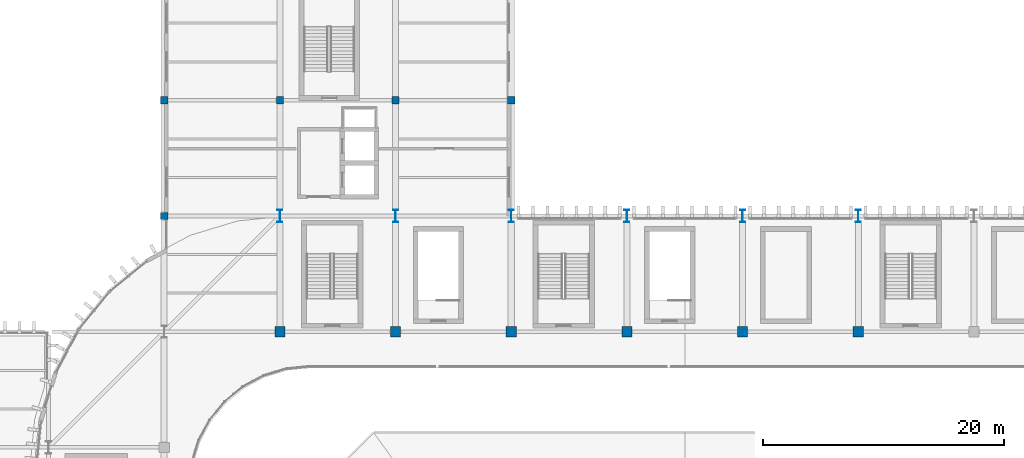
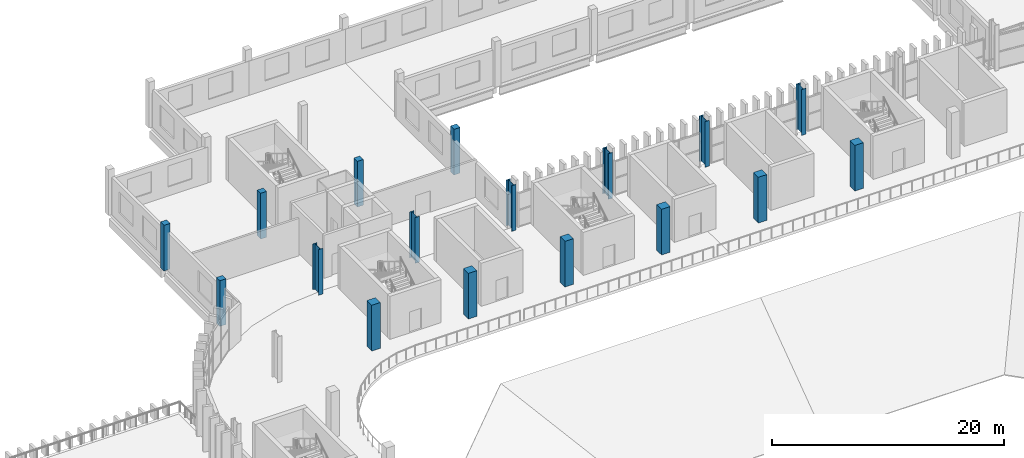
# One storey, part 8 of 99: 17 columns.
"""IFC4 building model written with IfcOpenShell, lengths in metres."""

import ifcopenshell
import ifcopenshell.guid

model = None  # the IFC model being written
_history = None  # IfcOwnerHistory: only IFC2X3 demands one
_inside = {}  # id of a spatial element -> (the spatial element, [elements in it])
_under = {}  # id of a project, library or spatial element -> (it, [spatial elements below it])
_declared = {}  # id of a project -> (the project, [libraries it declares])
_typed = {}  # id of a type object -> (the type object, [elements of that type])
_made_of = {}  # id of a material, layer set ... -> (it, [elements and type objects made of it])


def new_model(schema):
    """Start an empty IFC model of exactly this schema.

    Asked for "IFC4X3", IfcOpenShell would pick the latest addendum, in which some entities
    have other attributes; the version numbers below select the first issue.
    IFC2X3 requires an IfcOwnerHistory on every rooted entity: one is made here for all.
    """
    global model, _history
    if schema == "IFC4X3":
        model = ifcopenshell.file(schema_version=(4, 3, 0, 0))
    else:
        model = ifcopenshell.file(schema=schema)
    _inside.clear()
    _under.clear()
    _declared.clear()
    _typed.clear()
    _made_of.clear()
    _history = None
    if model.schema == "IFC2X3":
        org = make("IfcOrganization", Name="unknown")
        user = make(
            "IfcPersonAndOrganization",
            ThePerson=make("IfcPerson", FamilyName="unknown"),
            TheOrganization=org,
        )
        app = make(
            "IfcApplication",
            ApplicationDeveloper=org,
            Version="unknown",
            ApplicationFullName="unknown",
            ApplicationIdentifier="unknown",
        )
        _history = make(
            "IfcOwnerHistory",
            OwningUser=user,
            OwningApplication=app,
            ChangeAction="ADDED",
            CreationDate=0,
        )
    return model


def make(cls, **values):
    """One entity of the class cls with the attributes given. An attribute that is None is left unset."""
    return model.create_entity(
        cls, **{name: value for name, value in values.items() if value is not None}
    )


def rooted(cls, **values):
    """An entity with a GlobalId (a new one), such as an element, a storey or a relation."""
    return make(cls, GlobalId=ifcopenshell.guid.new(), OwnerHistory=_history, **values)


def si_unit(unit_type, name, prefix=None):
    """IfcSIUnit, for example si_unit("LENGTHUNIT", "METRE", prefix="MILLI")."""
    return make("IfcSIUnit", UnitType=unit_type, Prefix=prefix, Name=name)


def assignment(units):
    """IfcUnitAssignment: the units of a project."""
    return None if units is None else make("IfcUnitAssignment", Units=units)


def point(xyz):
    """IfcCartesianPoint."""
    return None if xyz is None else make("IfcCartesianPoint", Coordinates=xyz)


def direction(xyz):
    """IfcDirection."""
    return None if xyz is None else make("IfcDirection", DirectionRatios=xyz)


def frame(location, z_axis=None, x_axis=None):
    """IfcAxis2Placement3D, a coordinate frame: its origin and axes. An axis left out is left unset."""
    return make(
        "IfcAxis2Placement3D",
        Location=point(location),
        Axis=direction(z_axis),
        RefDirection=direction(x_axis),
    )


def frame_2d(location, x_axis=None):
    """IfcAxis2Placement2D, a coordinate frame in the plane: its origin and x axis."""
    return make(
        "IfcAxis2Placement2D", Location=point(location), RefDirection=direction(x_axis)
    )


def origin():
    """The frame at (0, 0, 0) with its axes left unset."""
    return frame((0.0, 0.0, 0.0))


def origin_2d():
    """The frame at (0, 0) in the plane with its x axis left unset."""
    return frame_2d((0.0, 0.0))


def place(relative_to, where):
    """IfcLocalPlacement: puts the frame where relative to a parent placement (None: the world)."""
    return make(
        "IfcLocalPlacement", PlacementRelTo=relative_to, RelativePlacement=where
    )


def context(
    kind, dimensions, precision=None, world=None, true_north=None, identifier=None
):
    """IfcGeometricRepresentationContext, for example the 3D "Model" context."""
    return make(
        "IfcGeometricRepresentationContext",
        ContextIdentifier=identifier,
        ContextType=kind,
        CoordinateSpaceDimension=dimensions,
        Precision=precision,
        WorldCoordinateSystem=world,
        TrueNorth=true_north,
    )


def subcontext(parent, identifier, kind, view, scale=None):
    """IfcGeometricRepresentationSubContext, for example "Body" below "Model"."""
    return make(
        "IfcGeometricRepresentationSubContext",
        ContextIdentifier=identifier,
        ContextType=kind,
        ParentContext=parent,
        TargetScale=scale,
        TargetView=view,
    )


def project(units=None, contexts=None):
    """IfcProject with its units and contexts."""
    return rooted(
        "IfcProject",
        Name="project",
        RepresentationContexts=contexts,
        UnitsInContext=assignment(units),
    )


def spatial(cls, under=None, at=None, **own):
    """A site, building, storey or space (cls), placed at a placement, below another one or the project."""
    s = rooted(cls, ObjectPlacement=at, **own)
    if under is not None:
        _under.setdefault(under.id(), (under, []))[1].append(s)
    return s


def profile(cls, at=None, kind="AREA", **sizes):
    """A parametric profile (cls). Its sizes go by their IFC names, for example OverallWidth=200.0."""
    return make(cls, ProfileType=kind, Position=at, **sizes)


def rectangle(**sizes):
    """IfcRectangleProfileDef."""
    return profile("IfcRectangleProfileDef", **sizes)


def i_section(**sizes):
    """IfcIShapeProfileDef."""
    return profile("IfcIShapeProfileDef", **sizes)


def extrude(swept, where, along, depth):
    """IfcExtrudedAreaSolid: the profile swept, set in the frame where, extruded along a direction by depth."""
    return make(
        "IfcExtrudedAreaSolid",
        SweptArea=swept,
        Position=where,
        ExtrudedDirection=direction(along),
        Depth=depth,
    )


def shape(context_of_items, identifier, shape_type, items):
    """IfcShapeRepresentation: the items that make up one representation, for example the "Body"."""
    return make(
        "IfcShapeRepresentation",
        ContextOfItems=context_of_items,
        RepresentationIdentifier=identifier,
        RepresentationType=shape_type,
        Items=items,
    )


def material(Name=None, Category=None):
    """IfcMaterial."""
    return make("IfcMaterial", Name=Name, Category=Category)


def material_profile(
    of_material, cross_section, Name=None, Category=None, Priority=None
):
    """IfcMaterialProfile: a cross section and its material."""
    return make(
        "IfcMaterialProfile",
        Name=Name,
        Material=of_material,
        Profile=cross_section,
        Priority=Priority,
        Category=Category,
    )


def profile_set(profiles, Name=None, composite=None):
    """IfcMaterialProfileSet."""
    return make(
        "IfcMaterialProfileSet",
        Name=Name,
        MaterialProfiles=profiles,
        CompositeProfile=composite,
    )


def made_of(thing, what):
    """Note that an element or type object is made of a material, layer set ...; save() writes the relation."""
    if what is not None:
        _made_of.setdefault(what.id(), (what, []))[1].append(thing)
    return thing


def type_object(cls, material=None, **own):
    """A type object (cls), such as IfcWallType, which elements share."""
    return made_of(rooted(cls, **own), material)


def element(
    cls,
    number,
    at=None,
    inside=None,
    cuts=None,
    type_object=None,
    material=None,
    context=None,
    identifier="Body",
    shape_type=None,
    held_by="IfcProductDefinitionShape",
    body=None,
    shapes=None,
    **own,
):
    """One element of the class cls, such as IfcWall. Its Tag is "e" and its number.

    at: its placement. inside: the storey or other place that contains it. cuts: it is an
    opening in that element (IfcRelVoidsElement). A single representation is given by context,
    identifier, shape_type and body (its items); several are given by shapes. held_by: the class
    of the entity that holds the representations. save() writes the other relations.
    """
    e = rooted(cls, Tag="e%d" % number, ObjectPlacement=at, **own)
    if body is not None:
        shapes = [shape(context, identifier, shape_type, body)]
    if shapes is not None:
        e.Representation = make(held_by, Representations=shapes)
    if inside is not None:
        _inside.setdefault(inside.id(), (inside, []))[1].append(e)
    if cuts is not None:
        rooted(
            "IfcRelVoidsElement", RelatingBuildingElement=cuts, RelatedOpeningElement=e
        )
    if type_object is not None:
        _typed.setdefault(type_object.id(), (type_object, []))[1].append(e)
    return made_of(e, material)


def aggregate(whole, parts):
    """IfcRelAggregates: a whole, such as a stair, and the parts it consists of."""
    return rooted("IfcRelAggregates", RelatingObject=whole, RelatedObjects=parts)


def save(model, path):
    """Write the relations noted so far, then the file.

    IfcRelAggregates (storeys below a building ...), IfcRelContainedInSpatialStructure (elements
    in a storey), IfcRelDefinesByType, IfcRelAssociatesMaterial and IfcRelDeclares: one each for
    every whole, place, type object, material and project.
    """
    for whole, parts in _under.values():
        aggregate(whole, parts)
    for where, things in _inside.values():
        rooted(
            "IfcRelContainedInSpatialStructure",
            RelatedElements=things,
            RelatingStructure=where,
        )
    for kind, things in _typed.values():
        rooted("IfcRelDefinesByType", RelatedObjects=things, RelatingType=kind)
    for what, things in _made_of.values():
        rooted("IfcRelAssociatesMaterial", RelatedObjects=things, RelatingMaterial=what)
    for by, libraries in _declared.values():
        rooted("IfcRelDeclares", RelatingContext=by, RelatedDefinitions=libraries)
    model.write(path)


model = new_model("IFC4")

# Units and contexts
model_context = context("Model", 3, precision=1e-05, world=origin(), true_north=direction((0.0, 1.0)))
body_context = subcontext(model_context, "Body", "Model", "MODEL_VIEW")
ifc_project = project(units=[si_unit("LENGTHUNIT", "METRE"), si_unit("AREAUNIT", "SQUARE_METRE"), si_unit("VOLUMEUNIT", "CUBIC_METRE"), si_unit("PLANEANGLEUNIT", "RADIAN"), si_unit("MASSUNIT", "GRAM", prefix="KILO")], contexts=[model_context])

# Site, building, storey
site_placement = place(None, origin())
site = spatial("IfcSite", under=ifc_project, at=site_placement, CompositionType="ELEMENT")
building_placement = place(site_placement, origin())
building = spatial("IfcBuilding", under=site, at=building_placement, Name="Caelomonte Colonnade Arena", CompositionType="ELEMENT")
storey_placement = place(building_placement, frame((0.0, 0.0, 4.800048828125)))
storey = spatial("IfcBuildingStorey", under=building, at=storey_placement, Name="L01", CompositionType="ELEMENT", Elevation=4.800048828125)

# Columns
ifc_material_1 = material(Name="Concrete C40/50", Category="concrete")
ifc_material_profile_1 = material_profile(ifc_material_1, rectangle(XDim=0.60009765625, YDim=0.60009765625, at=origin_2d()), Name="RC600X600")
ifc_profile_set_1 = profile_set([ifc_material_profile_1], Name="Concrete C40/50")
column_type_1 = type_object("IfcColumnType", Name="STR-COL-RC06", PredefinedType="COLUMN", material=ifc_profile_set_1)
for number, where, z_axis, x_axis, name in (
    (1, (67.199951171875, 115.199951171875, 0.0), (0.0, 0.0, 1.0), (1.0, 0.0, 0.0), "L01 column (67.2, 115.2)"),
    (2, (67.199951171875, 124.800048828125, 0.0), (0.0, 0.0, 1.0), (1.0, 0.0, 0.0), "L01 column (67.2, 124.8)"),
    (3, (76.800048828125, 124.800048828125, 0.0), (0.0, 0.0, 1.0), (1.0, 0.0, 0.0), "L01 column (76.8, 124.8)"),
    (4, (86.39990234375, 124.800048828125, 0.0), (0.0, 0.0, 1.0), (1.0, 0.0, 0.0), "L01 column (86.4, 124.8)"),
    (5, (96.0, 124.800048828125, 0.0), (0.0, 0.0, 1.0), (1.0, 0.0, 0.0), "L01 column (96.0, 124.8)"),
):
    element("IfcColumn", number, at=place(storey_placement, frame(where, z_axis=z_axis, x_axis=x_axis)), inside=storey, type_object=column_type_1, Name=name, PredefinedType="COLUMN", context=body_context, shape_type="SweptSolid", body=[
        extrude(rectangle(XDim=0.60009765625, YDim=0.60009765625, at=origin_2d()), origin(), (0.0, 0.0, 1.0), 4.800048828125),
    ])
ifc_material_2 = material(Name="Concrete C50/60", Category="concrete")
ifc_material_profile_2 = material_profile(ifc_material_2, rectangle(XDim=0.85009765625, YDim=0.85009765625, at=origin_2d()), Name="RC850X850")
ifc_profile_set_2 = profile_set([ifc_material_profile_2], Name="Concrete C50/60")
column_type_2 = type_object("IfcColumnType", Name="STR-COL-RC85", PredefinedType="COLUMN", material=ifc_profile_set_2)
for number, where, z_axis, x_axis, name in (
    (6, (76.800048828125, 105.60009765625, 0.0), (0.0, 0.0, 1.0), (1.0, 0.0, 0.0), "L01 column (76.8, 105.6)"),
    (7, (86.39990234375, 105.60009765625, 0.0), (0.0, 0.0, 1.0), (1.0, 0.0, 0.0), "L01 column (86.4, 105.6)"),
    (8, (96.0, 105.60009765625, 0.0), (0.0, 0.0, 1.0), (1.0, 0.0, 0.0), "L01 column (96.0, 105.6)"),
    (9, (105.60009765625, 105.60009765625, 0.0), (0.0, 0.0, 1.0), (1.0, 0.0, 0.0), "L01 column (105.6, 105.6)"),
    (10, (115.199951171875, 105.60009765625, 0.0), (0.0, 0.0, 1.0), (1.0, 0.0, 0.0), "L01 column (115.2, 105.6)"),
    (11, (124.800048828125, 105.60009765625, 0.0), (0.0, 0.0, 1.0), (1.0, 0.0, 0.0), "L01 column (124.8, 105.6)"),
):
    element("IfcColumn", number, at=place(storey_placement, frame(where, z_axis=z_axis, x_axis=x_axis)), inside=storey, type_object=column_type_2, Name=name, PredefinedType="COLUMN", context=body_context, shape_type="SweptSolid", body=[
        extrude(rectangle(XDim=0.85009765625, YDim=0.85009765625, at=origin_2d()), origin(), (0.0, 0.0, 1.0), 4.800048828125),
    ])
ifc_material_3 = material(Name="Wide-flange steel ASTM A992 Grade 50", Category="steel")
ifc_material_profile_3 = material_profile(ifc_material_3, i_section(OverallWidth=0.419189453125, OverallDepth=1.010986328125, WebThickness=0.023681640625, FlangeThickness=0.0419921875, FilletRadius=0.030517578125, at=origin_2d()), Name="W40X297")
ifc_profile_set_3 = profile_set([ifc_material_profile_3], Name="Wide-flange steel ASTM A992 Grade 50")
column_type_3 = type_object("IfcColumnType", Name="STR-COL-W40B", PredefinedType="COLUMN", material=ifc_profile_set_3)
for number, where, z_axis, x_axis, name in (
    (12, (76.800048828125, 115.199951171875, 0.0), (0.0, 0.0, 1.0), (1.0, 0.0, 0.0), "L01 column (76.8, 115.2)"),
    (13, (86.39990234375, 115.199951171875, 0.0), (0.0, 0.0, 1.0), (1.0, 0.0, 0.0), "L01 column (86.4, 115.2)"),
    (14, (96.0, 115.199951171875, 0.0), (0.0, 0.0, 1.0), (1.0, 0.0, 0.0), "L01 column (96.0, 115.2)"),
    (15, (105.60009765625, 115.199951171875, 0.0), (0.0, 0.0, 1.0), (1.0, 0.0, 0.0), "L01 column (105.6, 115.2)"),
    (16, (115.199951171875, 115.199951171875, 0.0), (0.0, 0.0, 1.0), (1.0, 0.0, 0.0), "L01 column (115.2, 115.2)"),
    (17, (124.800048828125, 115.199951171875, 0.0), (0.0, 0.0, 1.0), (1.0, 0.0, 0.0), "L01 column (124.8, 115.2)"),
):
    element("IfcColumn", number, at=place(storey_placement, frame(where, z_axis=z_axis, x_axis=x_axis)), inside=storey, type_object=column_type_3, Name=name, PredefinedType="COLUMN", context=body_context, shape_type="SweptSolid", body=[
        extrude(i_section(OverallWidth=0.419189453125, OverallDepth=1.010986328125, WebThickness=0.023681640625, FlangeThickness=0.0419921875, FilletRadius=0.030517578125, at=origin_2d()), origin(), (0.0, 0.0, 1.0), 4.800048828125),
    ])

save(model, "model.ifc")
